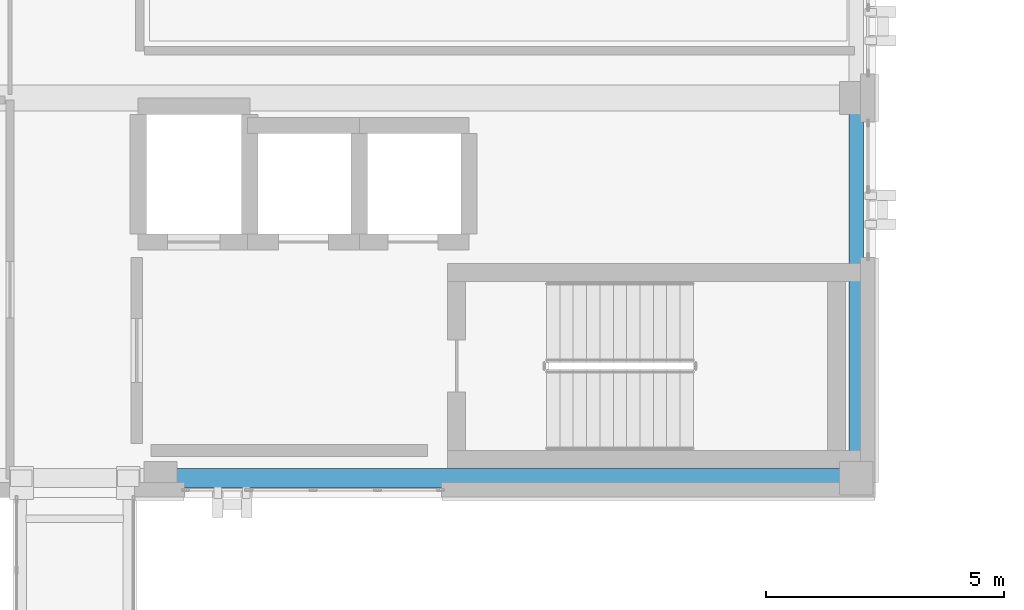
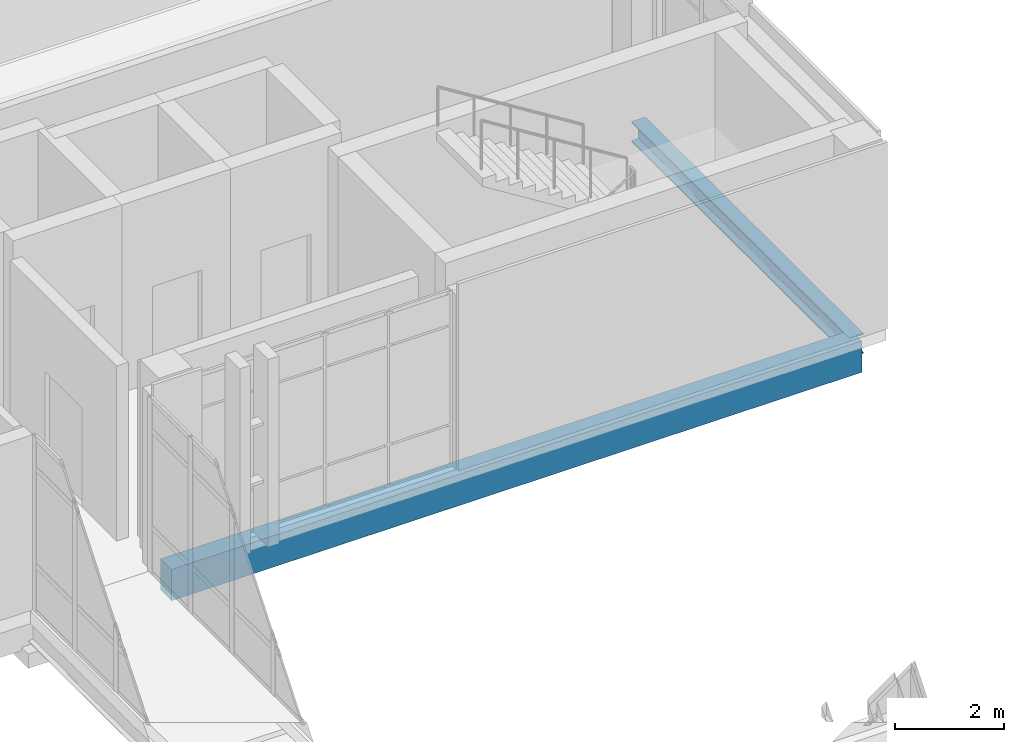
# One storey, part 65 of 193: 2 beams.
"""IFC4 building model written with IfcOpenShell, lengths in metres."""

from ifc_helpers import new_model, si_unit, direction, frame, origin, origin_2d, place, context, subcontext, project, spatial, rectangle, i_section, extrude, material, material_profile, profile_set, type_object, element, save


model = new_model("IFC4")

# Units and contexts
model_context = context("Model", 3, precision=1e-05, world=origin(), true_north=direction((0.0, 1.0)))
body_context = subcontext(model_context, "Body", "Model", "MODEL_VIEW")
ifc_project = project(units=[si_unit("LENGTHUNIT", "METRE"), si_unit("AREAUNIT", "SQUARE_METRE"), si_unit("VOLUMEUNIT", "CUBIC_METRE"), si_unit("PLANEANGLEUNIT", "RADIAN"), si_unit("MASSUNIT", "GRAM", prefix="KILO")], contexts=[model_context])

# Site, building, storey
site_placement = place(None, origin())
site = spatial("IfcSite", under=ifc_project, at=site_placement, CompositionType="ELEMENT")
building_placement = place(site_placement, origin())
building = spatial("IfcBuilding", under=site, at=building_placement, Name="Qalavern Law Courts", CompositionType="ELEMENT")
storey_placement = place(building_placement, frame((0.0, 0.0, 10.199951171875)))
storey = spatial("IfcBuildingStorey", under=building, at=storey_placement, Name="L02", CompositionType="ELEMENT", Elevation=10.199951171875)

# Beams
ifc_material_1 = material(Name="Steel S355", Category="steel")
ifc_material_profile_1 = material_profile(ifc_material_1, i_section(OverallWidth=0.300048828125, OverallDepth=0.449951171875, WebThickness=0.013916015625, FlangeThickness=0.02587890625, FilletRadius=0.027099609375, at=origin_2d()), Name="HEB 450")
ifc_profile_set_1 = profile_set([ifc_material_profile_1], Name="Steel S355")
beam_type_1 = type_object("IfcBeamType", Name="STR-SP-HEB450", PredefinedType="SPANDREL", material=ifc_profile_set_1)
beam_1_placement = place(storey_placement, frame((106.39990234375, 41.419921875, -0.514892578125), z_axis=(0.0, 1.0, 0.0), x_axis=(-1.0, 0.0, 0.0)))
element("IfcBeam", 1, at=beam_1_placement, inside=storey, type_object=beam_type_1, Name="V4 Y-beam 3-1 L02", PredefinedType="SPANDREL", context=body_context, shape_type="SweptSolid", body=[
    extrude(i_section(OverallWidth=0.300048828125, OverallDepth=0.449951171875, WebThickness=0.013916015625, FlangeThickness=0.02587890625, FilletRadius=0.027099609375, at=origin_2d()), origin(), (0.0, 0.0, 1.0), 7.97998046875),
])
ifc_material_2 = material(Name="Concrete C40/50", Category="concrete")
ifc_material_profile_2 = material_profile(ifc_material_2, rectangle(XDim=0.39990234375, YDim=0.699951171875, at=origin_2d()), Name="RC 400x700")
ifc_profile_set_2 = profile_set([ifc_material_profile_2], Name="Concrete C40/50")
beam_type_2 = type_object("IfcBeamType", Name="STR-SP-RC400x700", PredefinedType="SPANDREL", material=ifc_profile_set_2)
beam_2_placement = place(storey_placement, frame((91.800048828125, 41.419921875, -0.639892578125), z_axis=(1.0, 0.0, 0.0), x_axis=(0.0, 1.0, 0.0)))
element("IfcBeam", 2, at=beam_2_placement, inside=storey, type_object=beam_type_2, Name="V4 X-beam 1-2 L02", PredefinedType="SPANDREL", context=body_context, shape_type="SweptSolid", body=[
    extrude(rectangle(XDim=0.39990234375, YDim=0.699951171875, at=origin_2d()), origin(), (0.0, 0.0, 1.0), 14.599853515625),
])

save(model, "model.ifc")
